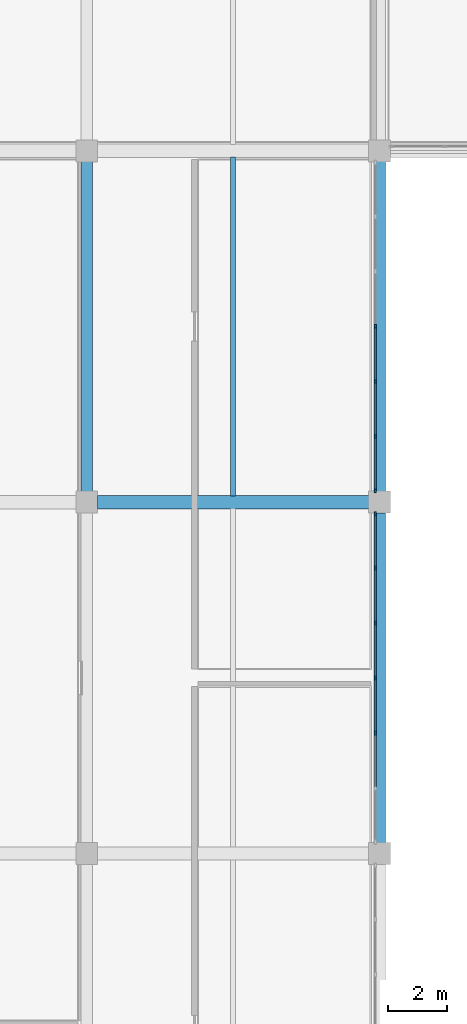
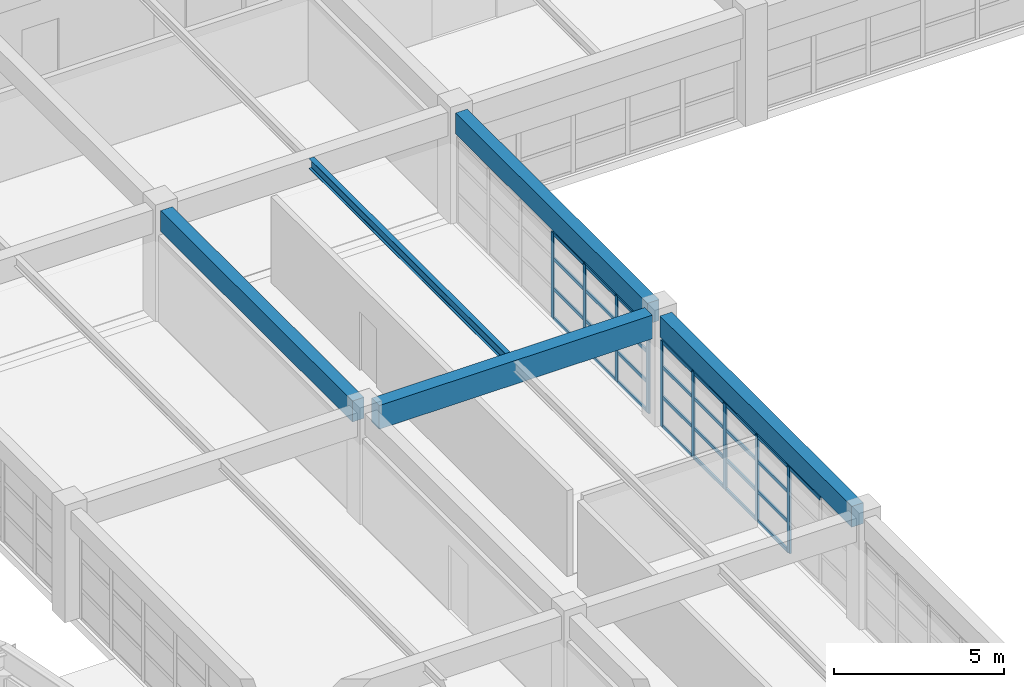
# One storey, part 31 of 83: 38 members, 5 beams, 2 elements without a shape of their own.
"""IFC4 building model written with IfcOpenShell, lengths in metres."""

from ifc_helpers import new_model, si_unit, direction, frame, origin, origin_2d, place, context, subcontext, project, spatial, rectangle, i_section, extrude, material, layer, layer_set, material_profile, profile_set, type_object, element, aggregate, save


model = new_model("IFC4")

# Units and contexts
model_context = context("Model", 3, precision=1e-05, world=origin(), true_north=direction((0.0, 1.0)))
body_context = subcontext(model_context, "Body", "Model", "MODEL_VIEW")
ifc_project = project(units=[si_unit("LENGTHUNIT", "METRE"), si_unit("AREAUNIT", "SQUARE_METRE"), si_unit("VOLUMEUNIT", "CUBIC_METRE"), si_unit("PLANEANGLEUNIT", "RADIAN"), si_unit("MASSUNIT", "GRAM", prefix="KILO")], contexts=[model_context])

# Site, building, storey
site_placement = place(None, origin())
site = spatial("IfcSite", under=ifc_project, at=site_placement, CompositionType="ELEMENT")
building_placement = place(site_placement, origin())
building = spatial("IfcBuilding", under=site, at=building_placement, Name="Kivolera Central Railway Station", CompositionType="ELEMENT")
storey_placement = place(building_placement, frame((0.0, 0.0, 14.39990234375)))
storey = spatial("IfcBuildingStorey", under=building, at=storey_placement, Name="L03", CompositionType="ELEMENT", Elevation=14.39990234375)

# Beams
ifc_material_1 = material(Name="Steel S355", Category="steel")
ifc_material_profile_1 = material_profile(ifc_material_1, i_section(OverallWidth=0.169921875, OverallDepth=0.360107421875, WebThickness=0.008056640625, FlangeThickness=0.0126953125, FilletRadius=0.01806640625, at=origin_2d()), Name="IPE 360")
ifc_profile_set_1 = profile_set([ifc_material_profile_1], Name="Steel S355")
beam_type_1 = type_object("IfcBeamType", Name="BM-JST-IPE360", PredefinedType="JOIST", material=ifc_profile_set_1)
beam_1_placement = place(storey_placement, frame((133.0, 102.217041015625, 3.748046875), z_axis=(0.0, 1.0, 0.0), x_axis=(-1.0, 0.0, 0.0)))
element("IfcBeam", 1, at=beam_1_placement, inside=storey, type_object=beam_type_1, Name="L03 Floor Joist 13-14/J-K", PredefinedType="JOIST", context=body_context, shape_type="SweptSolid", body=[
    extrude(i_section(OverallWidth=0.169921875, OverallDepth=0.360107421875, WebThickness=0.008056640625, FlangeThickness=0.0126953125, FilletRadius=0.01806640625, at=origin_2d()), origin(), (0.0, 0.0, 1.0), 11.56591796875),
])
ifc_material_2 = material(Name="Concrete C40/50", Category="concrete")
ifc_material_profile_2 = material_profile(ifc_material_2, rectangle(XDim=0.39990234375, YDim=0.75, at=origin_2d()), Name="RC 400x750")
ifc_profile_set_2 = profile_set([ifc_material_profile_2], Name="Concrete C40/50")
beam_type_2 = type_object("IfcBeamType", Name="BM-RC-400x750", PredefinedType="BEAM", material=ifc_profile_set_2)
for number, where, z_axis, x_axis, name in (
    (2, (128.0, 102.366943359375, 3.565185546875), (0.0, 1.0, 0.0), (-1.0, 0.0, 0.0), "L03 Wing Y-Beam 13:J-K"),
    (3, (138.0, 90.366943359375, 3.565185546875), (0.0, 1.0, 0.0), (-1.0, 0.0, 0.0), "L03 Wing Y-Beam 14:H-J"),
    (4, (138.0, 102.366943359375, 3.565185546875), (0.0, 1.0, 0.0), (-1.0, 0.0, 0.0), "L03 Wing Y-Beam 14:J-K"),
):
    element("IfcBeam", number, at=place(storey_placement, frame(where, z_axis=z_axis, x_axis=x_axis)), inside=storey, type_object=beam_type_2, Name=name, PredefinedType="BEAM", context=body_context, shape_type="SweptSolid", body=[
        extrude(rectangle(XDim=0.39990234375, YDim=0.75, at=origin_2d()), origin(), (0.0, 0.0, 1.0), 11.26611328125),
    ])
ifc_material_profile_3 = material_profile(ifc_material_2, rectangle(XDim=0.449951171875, YDim=0.85009765625, at=origin_2d()), Name="RC 450x850")
ifc_profile_set_3 = profile_set([ifc_material_profile_3], Name="Concrete C40/50")
beam_type_3 = type_object("IfcBeamType", Name="BM-RC-450x850", PredefinedType="BEAM", material=ifc_profile_set_3)
beam_2_placement = place(storey_placement, frame((128.366943359375, 102.0, 3.51513671875), z_axis=(1.0, 0.0, 0.0), x_axis=(0.0, 1.0, 0.0)))
element("IfcBeam", 5, at=beam_2_placement, inside=storey, type_object=beam_type_3, Name="L03 Wing X-Beam J:13-14", PredefinedType="BEAM", context=body_context, shape_type="SweptSolid", body=[
    extrude(rectangle(XDim=0.449951171875, YDim=0.85009765625, at=origin_2d()), origin(), (0.0, 0.0, 1.0), 9.26611328125),
])

# Curtain wall, members
ifc_material_3 = material(Name="Anodised aluminium", Category="aluminium")
ifc_layer = layer(ifc_material_3, 0.179931640625, Name="Anodised aluminium")
ifc_layer_set = layer_set([ifc_layer], Name="Anodised aluminium")
curtain_wall_type = type_object("IfcCurtainWallType", Name="CW-SYS-30", PredefinedType="NOTDEFINED", material=ifc_layer_set)
curtain_wall_1_placement = place(storey_placement, origin())
curtain_wall_1 = element("IfcCurtainWall", 6, at=curtain_wall_1_placement, inside=storey, type_object=curtain_wall_type, Name="L03 Curtain Wall CW-L03-CRTW-H", PredefinedType="NOTDEFINED")
ifc_material_profile_4 = material_profile(ifc_material_3, rectangle(XDim=0.06005859375, YDim=0.14990234375, at=origin_2d()), Name="ALU MULL 60x150")
ifc_profile_set_4 = profile_set([ifc_material_profile_4], Name="Anodised aluminium")
member_type_1 = type_object("IfcMemberType", Name="CWM-MUL-2", PredefinedType="MULLION", material=ifc_profile_set_4)
member_1_placement = place(storey_placement, frame((137.85498046875, 101.60009765625, -0.0048828125), z_axis=(0.0, 0.0, 1.0), x_axis=(1.0, 0.0, 0.0)))
member_1 = element("IfcMember", 7, at=member_1_placement, type_object=member_type_1, Name="CW-30 mullion 1", PredefinedType="MULLION", context=body_context, shape_type="SweptSolid", body=[
    extrude(rectangle(XDim=0.06005859375, YDim=0.14990234375, at=origin_2d()), origin(), (0.0, 0.0, 1.0), 3.0830078125),
])
member_2_placement = place(storey_placement, frame((137.85498046875, 99.75341796875, -0.0048828125), z_axis=(0.0, 0.0, 1.0), x_axis=(1.0, 0.0, 0.0)))
member_2 = element("IfcMember", 8, at=member_2_placement, type_object=member_type_1, Name="CW-30 mullion 2", PredefinedType="MULLION", context=body_context, shape_type="SweptSolid", body=[
    extrude(rectangle(XDim=0.06005859375, YDim=0.14990234375, at=origin_2d()), origin(), (0.0, 0.0, 1.0), 3.0830078125),
])
member_3_placement = place(storey_placement, frame((137.85498046875, 97.876708984375, -0.0048828125), z_axis=(0.0, 0.0, 1.0), x_axis=(1.0, 0.0, 0.0)))
member_3 = element("IfcMember", 9, at=member_3_placement, type_object=member_type_1, Name="CW-30 mullion 3", PredefinedType="MULLION", context=body_context, shape_type="SweptSolid", body=[
    extrude(rectangle(XDim=0.06005859375, YDim=0.14990234375, at=origin_2d()), origin(), (0.0, 0.0, 1.0), 3.0830078125),
])
member_4_placement = place(storey_placement, frame((137.85498046875, 96.0, -0.0048828125), z_axis=(0.0, 0.0, 1.0), x_axis=(1.0, 0.0, 0.0)))
member_4 = element("IfcMember", 10, at=member_4_placement, type_object=member_type_1, Name="CW-30 mullion 4", PredefinedType="MULLION", context=body_context, shape_type="SweptSolid", body=[
    extrude(rectangle(XDim=0.06005859375, YDim=0.14990234375, at=origin_2d()), origin(), (0.0, 0.0, 1.0), 3.0830078125),
])
member_5_placement = place(storey_placement, frame((137.85498046875, 94.123291015625, -0.0048828125), z_axis=(0.0, 0.0, 1.0), x_axis=(1.0, 0.0, 0.0)))
member_5 = element("IfcMember", 11, at=member_5_placement, type_object=member_type_1, Name="CW-30 mullion 5", PredefinedType="MULLION", context=body_context, shape_type="SweptSolid", body=[
    extrude(rectangle(XDim=0.06005859375, YDim=0.14990234375, at=origin_2d()), origin(), (0.0, 0.0, 1.0), 3.0830078125),
])

curtain_wall_2_placement = place(storey_placement, origin())
curtain_wall_2 = element("IfcCurtainWall", 12, at=curtain_wall_2_placement, inside=storey, type_object=curtain_wall_type, Name="L03 Curtain Wall CW-L03-CRTW-J", PredefinedType="NOTDEFINED")
member_6_placement = place(storey_placement, frame((137.85498046875, 108.0, -0.0048828125), z_axis=(0.0, 0.0, 1.0), x_axis=(1.0, 0.0, 0.0)))
member_6 = element("IfcMember", 13, at=member_6_placement, type_object=member_type_1, Name="CW-30 mullion 4", PredefinedType="MULLION", context=body_context, shape_type="SweptSolid", body=[
    extrude(rectangle(XDim=0.06005859375, YDim=0.14990234375, at=origin_2d()), origin(), (0.0, 0.0, 1.0), 3.0830078125),
])
member_7_placement = place(storey_placement, frame((137.85498046875, 106.123291015625, -0.0048828125), z_axis=(0.0, 0.0, 1.0), x_axis=(1.0, 0.0, 0.0)))
member_7 = element("IfcMember", 14, at=member_7_placement, type_object=member_type_1, Name="CW-30 mullion 5", PredefinedType="MULLION", context=body_context, shape_type="SweptSolid", body=[
    extrude(rectangle(XDim=0.06005859375, YDim=0.14990234375, at=origin_2d()), origin(), (0.0, 0.0, 1.0), 3.0830078125),
])
member_8_placement = place(storey_placement, frame((137.85498046875, 104.24658203125, -0.0048828125), z_axis=(0.0, 0.0, 1.0), x_axis=(1.0, 0.0, 0.0)))
member_8 = element("IfcMember", 15, at=member_8_placement, type_object=member_type_1, Name="CW-30 mullion 6", PredefinedType="MULLION", context=body_context, shape_type="SweptSolid", body=[
    extrude(rectangle(XDim=0.06005859375, YDim=0.14990234375, at=origin_2d()), origin(), (0.0, 0.0, 1.0), 3.0830078125),
])
member_9_placement = place(storey_placement, frame((137.85498046875, 102.39990234375, -0.0048828125), z_axis=(0.0, 0.0, 1.0), x_axis=(1.0, 0.0, 0.0)))
member_9 = element("IfcMember", 16, at=member_9_placement, type_object=member_type_1, Name="CW-30 mullion 7", PredefinedType="MULLION", context=body_context, shape_type="SweptSolid", body=[
    extrude(rectangle(XDim=0.06005859375, YDim=0.14990234375, at=origin_2d()), origin(), (0.0, 0.0, 1.0), 3.0830078125),
])

# Member
ifc_material_profile_5 = material_profile(ifc_material_3, rectangle(XDim=0.06005859375, YDim=0.1201171875, at=origin_2d()), Name="ALU TRAN 60x120")
ifc_profile_set_5 = profile_set([ifc_material_profile_5], Name="Anodised aluminium")
member_type_2 = type_object("IfcMemberType", Name="CWM-TRN-2", PredefinedType="USERDEFINED", material=ifc_profile_set_5)
member_10_placement = place(storey_placement, frame((137.85498046875, 101.570068359375, 0.030029296875), z_axis=(0.0, -1.0, 0.0), x_axis=(1.0, 0.0, 0.0)))
member_10 = element("IfcMember", 17, at=member_10_placement, type_object=member_type_2, Name="CW-30 transom 1.1", ObjectType="TRANSOM", PredefinedType="USERDEFINED", context=body_context, shape_type="SweptSolid", body=[
    extrude(rectangle(XDim=0.06005859375, YDim=0.1201171875, at=origin_2d()), origin(), (0.0, 0.0, 1.0), 1.78662109375),
])

member_11_placement = place(storey_placement, frame((137.85498046875, 101.570068359375, 1.077392578125), z_axis=(0.0, -1.0, 0.0), x_axis=(1.0, 0.0, 0.0)))
member_11 = element("IfcMember", 18, at=member_11_placement, type_object=member_type_2, Name="CW-30 transom 1.2", ObjectType="TRANSOM", PredefinedType="USERDEFINED", context=body_context, shape_type="SweptSolid", body=[
    extrude(rectangle(XDim=0.06005859375, YDim=0.1201171875, at=origin_2d()), origin(), (0.0, 0.0, 1.0), 1.78662109375),
])

member_12_placement = place(storey_placement, frame((137.85498046875, 101.570068359375, 2.15478515625), z_axis=(0.0, -1.0, 0.0), x_axis=(1.0, 0.0, 0.0)))
member_12 = element("IfcMember", 19, at=member_12_placement, type_object=member_type_2, Name="CW-30 transom 1.3", ObjectType="TRANSOM", PredefinedType="USERDEFINED", context=body_context, shape_type="SweptSolid", body=[
    extrude(rectangle(XDim=0.06005859375, YDim=0.1201171875, at=origin_2d()), origin(), (0.0, 0.0, 1.0), 1.78662109375),
])

member_13_placement = place(storey_placement, frame((137.85498046875, 101.570068359375, 3.048095703125), z_axis=(0.0, -1.0, 0.0), x_axis=(1.0, 0.0, 0.0)))
member_13 = element("IfcMember", 20, at=member_13_placement, type_object=member_type_2, Name="CW-30 transom 1.4", ObjectType="TRANSOM", PredefinedType="USERDEFINED", context=body_context, shape_type="SweptSolid", body=[
    extrude(rectangle(XDim=0.06005859375, YDim=0.1201171875, at=origin_2d()), origin(), (0.0, 0.0, 1.0), 1.78662109375),
])

member_14_placement = place(storey_placement, frame((137.85498046875, 99.723388671875, 0.030029296875), z_axis=(0.0, -1.0, 0.0), x_axis=(1.0, 0.0, 0.0)))
member_14 = element("IfcMember", 21, at=member_14_placement, type_object=member_type_2, Name="CW-30 transom 2.1", ObjectType="TRANSOM", PredefinedType="USERDEFINED", context=body_context, shape_type="SweptSolid", body=[
    extrude(rectangle(XDim=0.06005859375, YDim=0.1201171875, at=origin_2d()), origin(), (0.0, 0.0, 1.0), 1.816650390625),
])

member_15_placement = place(storey_placement, frame((137.85498046875, 99.723388671875, 1.077392578125), z_axis=(0.0, -1.0, 0.0), x_axis=(1.0, 0.0, 0.0)))
member_15 = element("IfcMember", 22, at=member_15_placement, type_object=member_type_2, Name="CW-30 transom 2.2", ObjectType="TRANSOM", PredefinedType="USERDEFINED", context=body_context, shape_type="SweptSolid", body=[
    extrude(rectangle(XDim=0.06005859375, YDim=0.1201171875, at=origin_2d()), origin(), (0.0, 0.0, 1.0), 1.816650390625),
])

member_16_placement = place(storey_placement, frame((137.85498046875, 99.723388671875, 2.15478515625), z_axis=(0.0, -1.0, 0.0), x_axis=(1.0, 0.0, 0.0)))
member_16 = element("IfcMember", 23, at=member_16_placement, type_object=member_type_2, Name="CW-30 transom 2.3", ObjectType="TRANSOM", PredefinedType="USERDEFINED", context=body_context, shape_type="SweptSolid", body=[
    extrude(rectangle(XDim=0.06005859375, YDim=0.1201171875, at=origin_2d()), origin(), (0.0, 0.0, 1.0), 1.816650390625),
])

member_17_placement = place(storey_placement, frame((137.85498046875, 99.723388671875, 3.048095703125), z_axis=(0.0, -1.0, 0.0), x_axis=(1.0, 0.0, 0.0)))
member_17 = element("IfcMember", 24, at=member_17_placement, type_object=member_type_2, Name="CW-30 transom 2.4", ObjectType="TRANSOM", PredefinedType="USERDEFINED", context=body_context, shape_type="SweptSolid", body=[
    extrude(rectangle(XDim=0.06005859375, YDim=0.1201171875, at=origin_2d()), origin(), (0.0, 0.0, 1.0), 1.816650390625),
])

member_18_placement = place(storey_placement, frame((137.85498046875, 97.8466796875, 0.030029296875), z_axis=(0.0, -1.0, 0.0), x_axis=(1.0, 0.0, 0.0)))
member_18 = element("IfcMember", 25, at=member_18_placement, type_object=member_type_2, Name="CW-30 transom 3.1", ObjectType="TRANSOM", PredefinedType="USERDEFINED", context=body_context, shape_type="SweptSolid", body=[
    extrude(rectangle(XDim=0.06005859375, YDim=0.1201171875, at=origin_2d()), origin(), (0.0, 0.0, 1.0), 1.816650390625),
])

member_19_placement = place(storey_placement, frame((137.85498046875, 97.8466796875, 1.077392578125), z_axis=(0.0, -1.0, 0.0), x_axis=(1.0, 0.0, 0.0)))
member_19 = element("IfcMember", 26, at=member_19_placement, type_object=member_type_2, Name="CW-30 transom 3.2", ObjectType="TRANSOM", PredefinedType="USERDEFINED", context=body_context, shape_type="SweptSolid", body=[
    extrude(rectangle(XDim=0.06005859375, YDim=0.1201171875, at=origin_2d()), origin(), (0.0, 0.0, 1.0), 1.816650390625),
])

member_20_placement = place(storey_placement, frame((137.85498046875, 97.8466796875, 2.15478515625), z_axis=(0.0, -1.0, 0.0), x_axis=(1.0, 0.0, 0.0)))
member_20 = element("IfcMember", 27, at=member_20_placement, type_object=member_type_2, Name="CW-30 transom 3.3", ObjectType="TRANSOM", PredefinedType="USERDEFINED", context=body_context, shape_type="SweptSolid", body=[
    extrude(rectangle(XDim=0.06005859375, YDim=0.1201171875, at=origin_2d()), origin(), (0.0, 0.0, 1.0), 1.816650390625),
])

member_21_placement = place(storey_placement, frame((137.85498046875, 97.8466796875, 3.048095703125), z_axis=(0.0, -1.0, 0.0), x_axis=(1.0, 0.0, 0.0)))
member_21 = element("IfcMember", 28, at=member_21_placement, type_object=member_type_2, Name="CW-30 transom 3.4", ObjectType="TRANSOM", PredefinedType="USERDEFINED", context=body_context, shape_type="SweptSolid", body=[
    extrude(rectangle(XDim=0.06005859375, YDim=0.1201171875, at=origin_2d()), origin(), (0.0, 0.0, 1.0), 1.816650390625),
])

member_22_placement = place(storey_placement, frame((137.85498046875, 95.969970703125, 0.030029296875), z_axis=(0.0, -1.0, 0.0), x_axis=(1.0, 0.0, 0.0)))
member_22 = element("IfcMember", 29, at=member_22_placement, type_object=member_type_2, Name="CW-30 transom 4.1", ObjectType="TRANSOM", PredefinedType="USERDEFINED", context=body_context, shape_type="SweptSolid", body=[
    extrude(rectangle(XDim=0.06005859375, YDim=0.1201171875, at=origin_2d()), origin(), (0.0, 0.0, 1.0), 1.816650390625),
])

member_23_placement = place(storey_placement, frame((137.85498046875, 95.969970703125, 1.077392578125), z_axis=(0.0, -1.0, 0.0), x_axis=(1.0, 0.0, 0.0)))
member_23 = element("IfcMember", 30, at=member_23_placement, type_object=member_type_2, Name="CW-30 transom 4.2", ObjectType="TRANSOM", PredefinedType="USERDEFINED", context=body_context, shape_type="SweptSolid", body=[
    extrude(rectangle(XDim=0.06005859375, YDim=0.1201171875, at=origin_2d()), origin(), (0.0, 0.0, 1.0), 1.816650390625),
])

member_24_placement = place(storey_placement, frame((137.85498046875, 95.969970703125, 2.15478515625), z_axis=(0.0, -1.0, 0.0), x_axis=(1.0, 0.0, 0.0)))
member_24 = element("IfcMember", 31, at=member_24_placement, type_object=member_type_2, Name="CW-30 transom 4.3", ObjectType="TRANSOM", PredefinedType="USERDEFINED", context=body_context, shape_type="SweptSolid", body=[
    extrude(rectangle(XDim=0.06005859375, YDim=0.1201171875, at=origin_2d()), origin(), (0.0, 0.0, 1.0), 1.816650390625),
])

member_25_placement = place(storey_placement, frame((137.85498046875, 95.969970703125, 3.048095703125), z_axis=(0.0, -1.0, 0.0), x_axis=(1.0, 0.0, 0.0)))
member_25 = element("IfcMember", 32, at=member_25_placement, type_object=member_type_2, Name="CW-30 transom 4.4", ObjectType="TRANSOM", PredefinedType="USERDEFINED", context=body_context, shape_type="SweptSolid", body=[
    extrude(rectangle(XDim=0.06005859375, YDim=0.1201171875, at=origin_2d()), origin(), (0.0, 0.0, 1.0), 1.816650390625),
])

member_26_placement = place(storey_placement, frame((137.85498046875, 94.09326171875, 3.048095703125), z_axis=(0.0, -1.0, 0.0), x_axis=(1.0, 0.0, 0.0)))
member_26 = element("IfcMember", 33, at=member_26_placement, type_object=member_type_2, Name="CW-30 transom 5.4", ObjectType="TRANSOM", PredefinedType="USERDEFINED", context=body_context, shape_type="SweptSolid", body=[
    extrude(rectangle(XDim=0.06005859375, YDim=0.1201171875, at=origin_2d()), origin(), (0.0, 0.0, 1.0), 1.816650390625),
])

aggregate(curtain_wall_1, [member_1, member_2, member_3, member_4, member_5, member_10, member_11, member_12, member_13, member_14, member_15, member_16, member_17, member_18, member_19, member_20, member_21, member_22, member_23, member_24, member_25, member_26])

member_27_placement = place(storey_placement, frame((137.85498046875, 107.969970703125, 0.030029296875), z_axis=(0.0, -1.0, 0.0), x_axis=(1.0, 0.0, 0.0)))
member_27 = element("IfcMember", 34, at=member_27_placement, type_object=member_type_2, Name="CW-30 transom 4.1", ObjectType="TRANSOM", PredefinedType="USERDEFINED", context=body_context, shape_type="SweptSolid", body=[
    extrude(rectangle(XDim=0.06005859375, YDim=0.1201171875, at=origin_2d()), origin(), (0.0, 0.0, 1.0), 1.816650390625),
])

member_28_placement = place(storey_placement, frame((137.85498046875, 107.969970703125, 1.077392578125), z_axis=(0.0, -1.0, 0.0), x_axis=(1.0, 0.0, 0.0)))
member_28 = element("IfcMember", 35, at=member_28_placement, type_object=member_type_2, Name="CW-30 transom 4.2", ObjectType="TRANSOM", PredefinedType="USERDEFINED", context=body_context, shape_type="SweptSolid", body=[
    extrude(rectangle(XDim=0.06005859375, YDim=0.1201171875, at=origin_2d()), origin(), (0.0, 0.0, 1.0), 1.816650390625),
])

member_29_placement = place(storey_placement, frame((137.85498046875, 107.969970703125, 2.15478515625), z_axis=(0.0, -1.0, 0.0), x_axis=(1.0, 0.0, 0.0)))
member_29 = element("IfcMember", 36, at=member_29_placement, type_object=member_type_2, Name="CW-30 transom 4.3", ObjectType="TRANSOM", PredefinedType="USERDEFINED", context=body_context, shape_type="SweptSolid", body=[
    extrude(rectangle(XDim=0.06005859375, YDim=0.1201171875, at=origin_2d()), origin(), (0.0, 0.0, 1.0), 1.816650390625),
])

member_30_placement = place(storey_placement, frame((137.85498046875, 107.969970703125, 3.048095703125), z_axis=(0.0, -1.0, 0.0), x_axis=(1.0, 0.0, 0.0)))
member_30 = element("IfcMember", 37, at=member_30_placement, type_object=member_type_2, Name="CW-30 transom 4.4", ObjectType="TRANSOM", PredefinedType="USERDEFINED", context=body_context, shape_type="SweptSolid", body=[
    extrude(rectangle(XDim=0.06005859375, YDim=0.1201171875, at=origin_2d()), origin(), (0.0, 0.0, 1.0), 1.816650390625),
])

member_31_placement = place(storey_placement, frame((137.85498046875, 106.09326171875, 0.030029296875), z_axis=(0.0, -1.0, 0.0), x_axis=(1.0, 0.0, 0.0)))
member_31 = element("IfcMember", 38, at=member_31_placement, type_object=member_type_2, Name="CW-30 transom 5.1", ObjectType="TRANSOM", PredefinedType="USERDEFINED", context=body_context, shape_type="SweptSolid", body=[
    extrude(rectangle(XDim=0.06005859375, YDim=0.1201171875, at=origin_2d()), origin(), (0.0, 0.0, 1.0), 1.816650390625),
])

member_32_placement = place(storey_placement, frame((137.85498046875, 106.09326171875, 1.077392578125), z_axis=(0.0, -1.0, 0.0), x_axis=(1.0, 0.0, 0.0)))
member_32 = element("IfcMember", 39, at=member_32_placement, type_object=member_type_2, Name="CW-30 transom 5.2", ObjectType="TRANSOM", PredefinedType="USERDEFINED", context=body_context, shape_type="SweptSolid", body=[
    extrude(rectangle(XDim=0.06005859375, YDim=0.1201171875, at=origin_2d()), origin(), (0.0, 0.0, 1.0), 1.816650390625),
])

member_33_placement = place(storey_placement, frame((137.85498046875, 106.09326171875, 2.15478515625), z_axis=(0.0, -1.0, 0.0), x_axis=(1.0, 0.0, 0.0)))
member_33 = element("IfcMember", 40, at=member_33_placement, type_object=member_type_2, Name="CW-30 transom 5.3", ObjectType="TRANSOM", PredefinedType="USERDEFINED", context=body_context, shape_type="SweptSolid", body=[
    extrude(rectangle(XDim=0.06005859375, YDim=0.1201171875, at=origin_2d()), origin(), (0.0, 0.0, 1.0), 1.816650390625),
])

member_34_placement = place(storey_placement, frame((137.85498046875, 106.09326171875, 3.048095703125), z_axis=(0.0, -1.0, 0.0), x_axis=(1.0, 0.0, 0.0)))
member_34 = element("IfcMember", 41, at=member_34_placement, type_object=member_type_2, Name="CW-30 transom 5.4", ObjectType="TRANSOM", PredefinedType="USERDEFINED", context=body_context, shape_type="SweptSolid", body=[
    extrude(rectangle(XDim=0.06005859375, YDim=0.1201171875, at=origin_2d()), origin(), (0.0, 0.0, 1.0), 1.816650390625),
])

member_35_placement = place(storey_placement, frame((137.85498046875, 104.216552734375, 0.030029296875), z_axis=(0.0, -1.0, 0.0), x_axis=(1.0, 0.0, 0.0)))
member_35 = element("IfcMember", 42, at=member_35_placement, type_object=member_type_2, Name="CW-30 transom 6.1", ObjectType="TRANSOM", PredefinedType="USERDEFINED", context=body_context, shape_type="SweptSolid", body=[
    extrude(rectangle(XDim=0.06005859375, YDim=0.1201171875, at=origin_2d()), origin(), (0.0, 0.0, 1.0), 1.78662109375),
])

member_36_placement = place(storey_placement, frame((137.85498046875, 104.216552734375, 1.077392578125), z_axis=(0.0, -1.0, 0.0), x_axis=(1.0, 0.0, 0.0)))
member_36 = element("IfcMember", 43, at=member_36_placement, type_object=member_type_2, Name="CW-30 transom 6.2", ObjectType="TRANSOM", PredefinedType="USERDEFINED", context=body_context, shape_type="SweptSolid", body=[
    extrude(rectangle(XDim=0.06005859375, YDim=0.1201171875, at=origin_2d()), origin(), (0.0, 0.0, 1.0), 1.78662109375),
])

member_37_placement = place(storey_placement, frame((137.85498046875, 104.216552734375, 2.15478515625), z_axis=(0.0, -1.0, 0.0), x_axis=(1.0, 0.0, 0.0)))
member_37 = element("IfcMember", 44, at=member_37_placement, type_object=member_type_2, Name="CW-30 transom 6.3", ObjectType="TRANSOM", PredefinedType="USERDEFINED", context=body_context, shape_type="SweptSolid", body=[
    extrude(rectangle(XDim=0.06005859375, YDim=0.1201171875, at=origin_2d()), origin(), (0.0, 0.0, 1.0), 1.78662109375),
])

member_38_placement = place(storey_placement, frame((137.85498046875, 104.216552734375, 3.048095703125), z_axis=(0.0, -1.0, 0.0), x_axis=(1.0, 0.0, 0.0)))
member_38 = element("IfcMember", 45, at=member_38_placement, type_object=member_type_2, Name="CW-30 transom 6.4", ObjectType="TRANSOM", PredefinedType="USERDEFINED", context=body_context, shape_type="SweptSolid", body=[
    extrude(rectangle(XDim=0.06005859375, YDim=0.1201171875, at=origin_2d()), origin(), (0.0, 0.0, 1.0), 1.78662109375),
])

aggregate(curtain_wall_2, [member_6, member_7, member_8, member_9, member_27, member_28, member_29, member_30, member_31, member_32, member_33, member_34, member_35, member_36, member_37, member_38])

save(model, "model.ifc")
